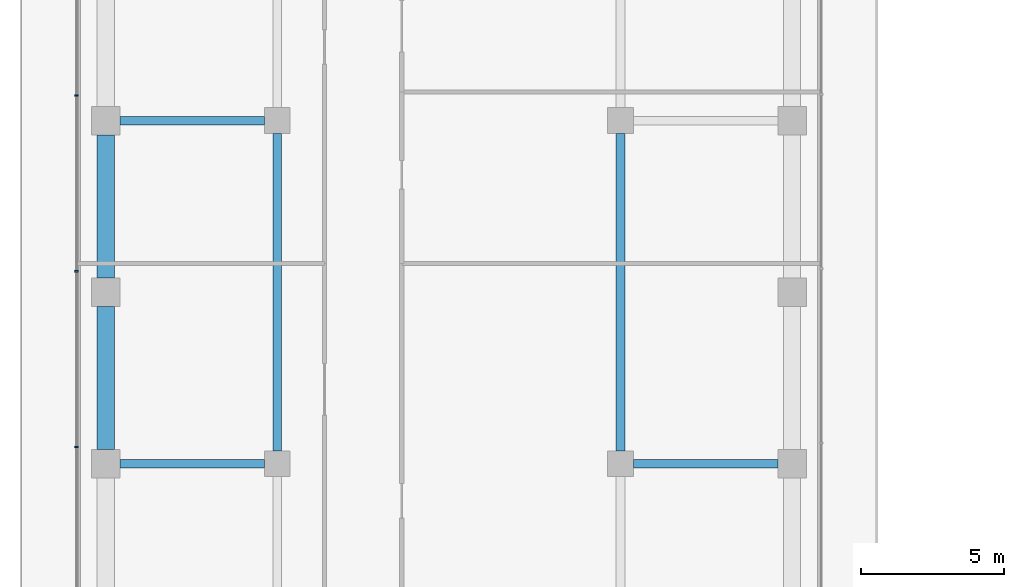
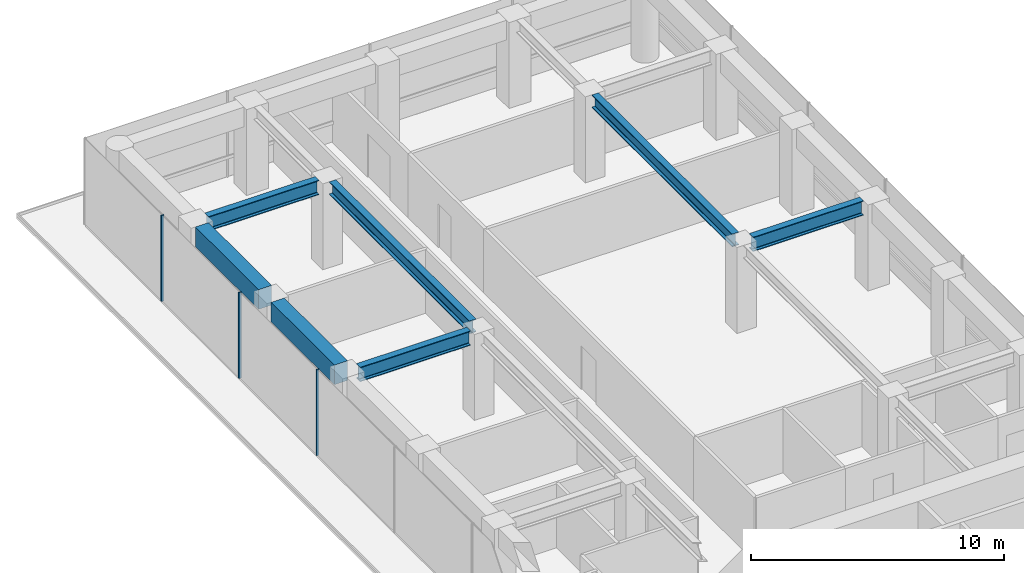
# One storey, part 15 of 24: 7 beams, 3 members, 1 element without a shape of its own.
"""IFC4 building model written with IfcOpenShell, lengths in metres."""

from ifc_helpers import new_model, si_unit, direction, frame, origin, origin_2d, place, context, subcontext, project, spatial, rectangle, i_section, extrude, material, layer, layer_set, material_profile, profile_set, type_object, element, aggregate, save


model = new_model("IFC4")

# Units and contexts
model_context = context("Model", 3, precision=1e-05, world=origin(), true_north=direction((0.0, 1.0)))
body_context = subcontext(model_context, "Body", "Model", "MODEL_VIEW")
ifc_project = project(units=[si_unit("LENGTHUNIT", "METRE"), si_unit("AREAUNIT", "SQUARE_METRE"), si_unit("VOLUMEUNIT", "CUBIC_METRE"), si_unit("PLANEANGLEUNIT", "RADIAN"), si_unit("MASSUNIT", "GRAM", prefix="KILO")], contexts=[model_context])

# Site, building, storey
site_placement = place(None, origin())
site = spatial("IfcSite", under=ifc_project, at=site_placement, CompositionType="ELEMENT")
building_placement = place(site_placement, origin())
building = spatial("IfcBuilding", under=site, at=building_placement, Name="Welwitschia Terrace Campus", CompositionType="ELEMENT")
storey_placement = place(building_placement, frame((0.0, 0.0, 15.5)))
storey = spatial("IfcBuildingStorey", under=building, at=storey_placement, Name="L03", CompositionType="ELEMENT", Elevation=15.5)

# Beams
ifc_material_1 = material(Name="Steel S355", Category="steel")
ifc_material_profile_1 = material_profile(ifc_material_1, i_section(OverallWidth=0.304931640625, OverallDepth=0.6201171875, WebThickness=0.02099609375, FlangeThickness=0.0400390625, FilletRadius=0.027099609375, at=origin_2d()))
ifc_profile_set_1 = profile_set([ifc_material_profile_1], Name="Steel S355")
beam_type_1 = type_object("IfcBeamType", Name="Interior girder HE 600 M", PredefinedType="BEAM", material=ifc_profile_set_1)
for number, where, z_axis, x_axis, name in (
    (1, (6.0, 44.450439453125, 3.840087890625), (0.0, 1.0, 0.0), (-1.0, 0.0, 0.0), "Girder GB1"),
    (2, (18.0, 44.450439453125, 3.840087890625), (0.0, 1.0, 0.0), (-1.0, 0.0, 0.0), "Girder GB1"),
):
    element("IfcBeam", number, at=place(storey_placement, frame(where, z_axis=z_axis, x_axis=x_axis)), inside=storey, type_object=beam_type_1, Name=name, PredefinedType="BEAM", context=body_context, shape_type="SweptSolid", body=[
        extrude(i_section(OverallWidth=0.304931640625, OverallDepth=0.6201171875, WebThickness=0.02099609375, FlangeThickness=0.0400390625, FilletRadius=0.027099609375, at=origin_2d()), origin(), (0.0, 0.0, 1.0), 11.09912109375),
    ])

# Curtain wall, members
ifc_material_2 = material(Name="Bronze anodised aluminium", Category="aluminium")
ifc_layer = layer(ifc_material_2, 0.1201171875)
ifc_layer_set = layer_set([ifc_layer], Name="Bronze anodised aluminium")
curtain_wall_type = type_object("IfcCurtainWallType", Name="Curtain wall CW2 tower 6000", PredefinedType="NOTDEFINED", material=ifc_layer_set)
curtain_wall_placement = place(storey_placement, origin())
curtain_wall = element("IfcCurtainWall", 3, at=curtain_wall_placement, inside=storey, type_object=curtain_wall_type, Name="CW L03.9.0", PredefinedType="NOTDEFINED")
ifc_material_3 = material(Name="Bronze anodised aluminium", Category="aluminium")
ifc_material_profile_2 = material_profile(ifc_material_3, rectangle(XDim=0.1201171875, YDim=0.06005859375, at=origin_2d()))
ifc_profile_set_2 = profile_set([ifc_material_profile_2], Name="Bronze anodised aluminium")
member_type = type_object("IfcMemberType", Name="Mullion 60x120", PredefinedType="MULLION", material=ifc_profile_set_2)
member_1_placement = place(storey_placement, frame((-1.02001953125, 56.875732421875, 0.0), z_axis=(0.0, 0.0, 1.0), x_axis=(1.0, 0.0, 0.0)))
member_1 = element("IfcMember", 4, at=member_1_placement, type_object=member_type, Name="Mullion L03.9.0.1", PredefinedType="MULLION", context=body_context, shape_type="SweptSolid", body=[
    extrude(rectangle(XDim=0.1201171875, YDim=0.06005859375, at=origin_2d()), origin(), (0.0, 0.0, 1.0), 4.14990234375),
])
member_2_placement = place(storey_placement, frame((-1.02001953125, 50.7314453125, 0.0), z_axis=(0.0, 0.0, 1.0), x_axis=(1.0, 0.0, 0.0)))
member_2 = element("IfcMember", 5, at=member_2_placement, type_object=member_type, Name="Mullion L03.9.0.2", PredefinedType="MULLION", context=body_context, shape_type="SweptSolid", body=[
    extrude(rectangle(XDim=0.1201171875, YDim=0.06005859375, at=origin_2d()), origin(), (0.0, 0.0, 1.0), 4.14990234375),
])
member_3_placement = place(storey_placement, frame((-1.02001953125, 44.587158203125, 0.0), z_axis=(0.0, 0.0, 1.0), x_axis=(1.0, 0.0, 0.0)))
member_3 = element("IfcMember", 6, at=member_3_placement, type_object=member_type, Name="Mullion L03.9.0.3", PredefinedType="MULLION", context=body_context, shape_type="SweptSolid", body=[
    extrude(rectangle(XDim=0.1201171875, YDim=0.06005859375, at=origin_2d()), origin(), (0.0, 0.0, 1.0), 4.14990234375),
])
aggregate(curtain_wall, [member_1, member_2, member_3])

# Beams
ifc_material_4 = material(Name="Steel S355", Category="steel")
ifc_material_profile_3 = material_profile(ifc_material_4, i_section(OverallWidth=0.300048828125, OverallDepth=0.699951171875, WebThickness=0.01708984375, FlangeThickness=0.031982421875, FilletRadius=0.027099609375, at=origin_2d()))
ifc_profile_set_3 = profile_set([ifc_material_profile_3], Name="Steel S355")
beam_type_2 = type_object("IfcBeamType", Name="Primary beam HE 700 B", PredefinedType="BEAM", material=ifc_profile_set_3)
for number, where, z_axis, x_axis, name in (
    (7, (23.49951171875, 44.0, 3.800048828125), (-1.0, 0.0, 0.0), (0.0, -1.0, 0.0), "Primary beam PB1"),
    (8, (0.50048828125, 56.0, 3.800048828125), (1.0, 0.0, 0.0), (0.0, 1.0, 0.0), "Primary beam PB1"),
    (9, (0.50048828125, 44.0, 3.800048828125), (1.0, 0.0, 0.0), (0.0, 1.0, 0.0), "Primary beam PB1"),
):
    element("IfcBeam", number, at=place(storey_placement, frame(where, z_axis=z_axis, x_axis=x_axis)), inside=storey, type_object=beam_type_2, Name=name, PredefinedType="BEAM", context=body_context, shape_type="SweptSolid", body=[
        extrude(i_section(OverallWidth=0.300048828125, OverallDepth=0.699951171875, WebThickness=0.01708984375, FlangeThickness=0.031982421875, FilletRadius=0.027099609375, at=origin_2d()), origin(), (0.0, 0.0, 1.0), 5.049072265625),
    ])
ifc_material_5 = material(Name="Concrete C60/75", Category="concrete")
ifc_material_profile_4 = material_profile(ifc_material_5, rectangle(XDim=0.60009765625, YDim=0.949951171875, at=origin_2d()))
ifc_profile_set_4 = profile_set([ifc_material_profile_4], Name="Concrete C60/75")
beam_type_3 = type_object("IfcBeamType", Name="Ring spandrel 600x950", PredefinedType="SPANDREL", material=ifc_profile_set_4)
for number, where, z_axis, x_axis, name in (
    (10, (0.0, 55.49951171875, 3.675048828125), (0.0, -1.0, 0.0), (1.0, 0.0, 0.0), "Spandrel SP1"),
    (11, (0.0, 49.49951171875, 3.675048828125), (0.0, -1.0, 0.0), (1.0, 0.0, 0.0), "Spandrel SP1"),
):
    element("IfcBeam", number, at=place(storey_placement, frame(where, z_axis=z_axis, x_axis=x_axis)), inside=storey, type_object=beam_type_3, Name=name, PredefinedType="SPANDREL", context=body_context, shape_type="SweptSolid", body=[
        extrude(rectangle(XDim=0.60009765625, YDim=0.949951171875, at=origin_2d()), origin(), (0.0, 0.0, 1.0), 4.9990234375),
    ])

save(model, "model.ifc")
